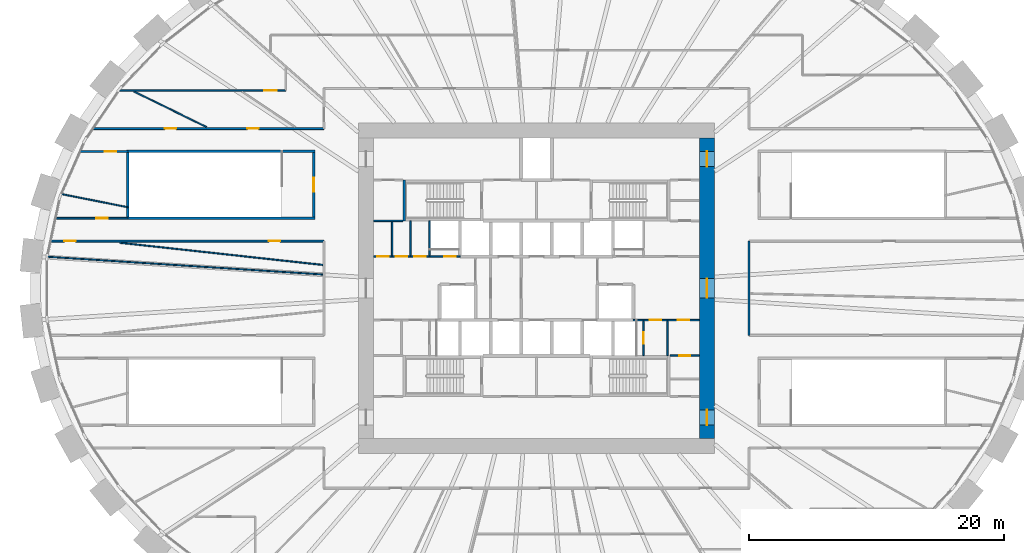
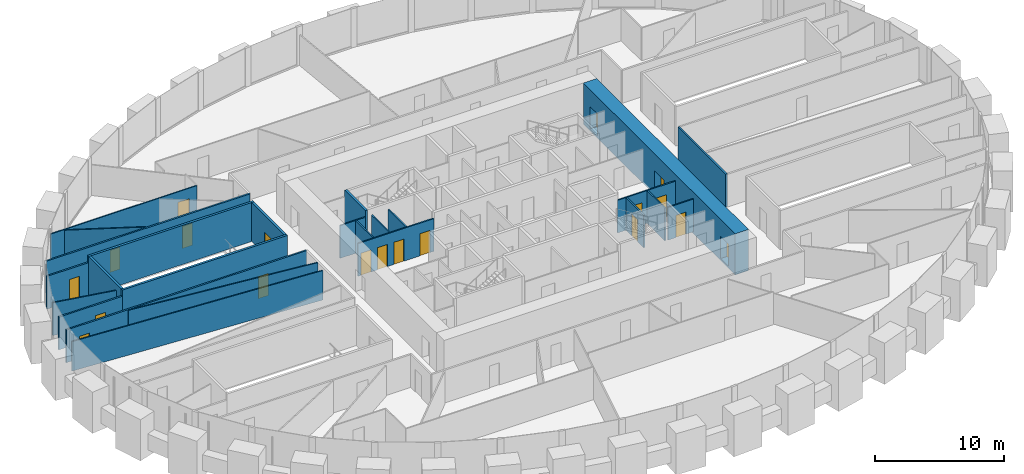
# One storey, part 8 of 12: 25 walls, 19 doors, 19 openings.
"""IFC4 building model written with IfcOpenShell, lengths in metres."""

from ifc_helpers import new_model, si_unit, direction, frame, frame_2d, origin, place, context, subcontext, project, spatial, rectangle, extrude, source, transform, mapped, material, layer, layer_set, type_object, element, fill, save


model = new_model("IFC4")

# Units and contexts
model_context = context("Model", 3, precision=1e-05, world=origin(), true_north=direction((0.0, 1.0)))
body_context = subcontext(model_context, "Body", "Model", "MODEL_VIEW")
ifc_project = project(units=[si_unit("LENGTHUNIT", "METRE"), si_unit("AREAUNIT", "SQUARE_METRE"), si_unit("VOLUMEUNIT", "CUBIC_METRE"), si_unit("PLANEANGLEUNIT", "RADIAN"), si_unit("MASSUNIT", "GRAM", prefix="KILO")], contexts=[model_context])

# Site, building, storey
site_placement = place(None, origin())
site = spatial("IfcSite", under=ifc_project, at=site_placement, CompositionType="ELEMENT")
building_placement = place(site_placement, origin())
building = spatial("IfcBuilding", under=site, at=building_placement, Name="Embergate Tower", CompositionType="ELEMENT")
storey_placement = place(building_placement, frame((0.0, 0.0, 38.0)))
storey = spatial("IfcBuildingStorey", under=building, at=storey_placement, Name="L05", CompositionType="ELEMENT", Elevation=38.0)

# Wall, openings, doors
ifc_material_1 = material(Name="Concrete C80", Category="concrete")
ifc_layer_1 = layer(ifc_material_1, 1.199951171875)
ifc_layer_set_1 = layer_set([ifc_layer_1], Name="Concrete C80")
wall_type_1 = type_object("IfcWallType", Name="Core outer wall C80 1200", PredefinedType="SHEAR", material=ifc_layer_set_1)
shared_shape_1 = source(origin(), body_context, "Body", "SweptSolid", [
    extrude(rectangle(XDim=23.60009765625, YDim=1.199951171875, at=frame_2d((11.800048828125, 0.0))), origin(), (0.0, 0.0, 1.0), 3.89990234375),
])
wall_1_placement = place(storey_placement, frame((13.39990234375, -11.800048828125, -0.199951171875), z_axis=(0.0, 0.0, 1.0), x_axis=(0.0, 1.0, 0.0)))
wall_1 = element("IfcWall", 1, at=wall_1_placement, inside=storey, type_object=wall_type_1, Name="CW-L05-E", PredefinedType="SHEAR", context=body_context, shape_type="MappedRepresentation", body=[
    mapped(shared_shape_1, transform((0.0, 0.0, 0.0))),
])
shared_shape_2 = source(origin(), body_context, "Body", "SweptSolid", [
    extrude(rectangle(XDim=1.199951171875, YDim=2.10009765625, at=frame_2d((0.60009765625, 1.050048828125))), frame((0.0, 0.60986328125, 0.0), z_axis=(0.0, -1.0, 0.0), x_axis=(1.0, 0.0, 0.0)), (0.0, 0.0, 1.0), 1.219970703125),
])
opening_1_placement = place(wall_1_placement, frame((21.35009765625, 0.0, 0.199951171875)))
opening_1 = element("IfcOpeningElement", 2, at=opening_1_placement, cuts=wall_1, Name="Opening IF-1", PredefinedType="OPENING", context=body_context, shape_type="MappedRepresentation", body=[
    mapped(shared_shape_2, transform((0.0, 0.0, 0.0))),
])
opening_2_placement = place(wall_1_placement, frame((1.050048828125, 0.0, 0.199951171875)))
opening_2 = element("IfcOpeningElement", 3, at=opening_2_placement, cuts=wall_1, Name="Opening IF-1", PredefinedType="OPENING", context=body_context, shape_type="MappedRepresentation", body=[
    mapped(shared_shape_2, transform((0.0, 0.0, 0.0))),
])
shared_shape_3 = source(origin(), body_context, "Body", "SweptSolid", [
    extrude(rectangle(XDim=1.5, YDim=2.10009765625, at=frame_2d((0.75, 1.050048828125))), frame((0.0, 0.60986328125, 0.0), z_axis=(0.0, -1.0, 0.0), x_axis=(1.0, 0.0, 0.0)), (0.0, 0.0, 1.0), 1.219970703125),
])
opening_3_placement = place(wall_1_placement, frame((11.050048828125, 0.0, 0.199951171875)))
opening_3 = element("IfcOpeningElement", 4, at=opening_3_placement, cuts=wall_1, Name="Opening IF-3", PredefinedType="OPENING", context=body_context, shape_type="MappedRepresentation", body=[
    mapped(shared_shape_3, transform((0.0, 0.0, 0.0))),
])
ifc_material_2 = material(Name="Escape fire door 1200")
door_type_1 = type_object("IfcDoorType", Name="Escape fire door 1200", OperationType="SINGLE_SWING_LEFT", PredefinedType="DOOR", material=ifc_material_2)
shared_shape_4 = source(origin(), body_context, "Body", "SweptSolid", [
    extrude(rectangle(XDim=1.199951171875, YDim=2.10009765625, at=frame_2d((0.60009765625, 1.050048828125))), frame((0.0, 0.02490234375, 0.0), z_axis=(0.0, -1.0, 0.0), x_axis=(1.0, 0.0, 0.0)), (0.0, 0.0, 1.0), 0.050048828125),
])
door_1_placement = place(opening_1_placement, origin())
door_1 = element("IfcDoor", 5, at=door_1_placement, inside=storey, type_object=door_type_1, Name="IF-1 door", OperationType="SINGLE_SWING_RIGHT", OverallHeight=2.10009765625, OverallWidth=1.199951171875, PredefinedType="DOOR", context=body_context, shape_type="MappedRepresentation", body=[
    mapped(shared_shape_4, transform((0.0, 0.0, 0.0))),
])
fill(opening_1, door_1)
door_2_placement = place(opening_2_placement, origin())
door_2 = element("IfcDoor", 6, at=door_2_placement, inside=storey, type_object=door_type_1, Name="IF-1 door", OperationType="SINGLE_SWING_LEFT", OverallHeight=2.10009765625, OverallWidth=1.199951171875, PredefinedType="DOOR", context=body_context, shape_type="MappedRepresentation", body=[
    mapped(shared_shape_4, transform((0.0, 0.0, 0.0))),
])
fill(opening_2, door_2)
ifc_material_3 = material(Name="Lobby fire door pair 1500")
door_type_2 = type_object("IfcDoorType", Name="Lobby fire door pair 1500", OperationType="DOUBLE_DOOR_SINGLE_SWING", PredefinedType="DOOR", material=ifc_material_3)
shared_shape_5 = source(origin(), body_context, "Body", "SweptSolid", [
    extrude(rectangle(XDim=1.5, YDim=2.10009765625, at=frame_2d((0.75, 1.050048828125))), frame((0.0, 0.02490234375, 0.0), z_axis=(0.0, -1.0, 0.0), x_axis=(1.0, 0.0, 0.0)), (0.0, 0.0, 1.0), 0.050048828125),
])
door_3_placement = place(opening_3_placement, origin())
door_3 = element("IfcDoor", 7, at=door_3_placement, inside=storey, type_object=door_type_2, Name="IF-3 door", OperationType="DOUBLE_DOOR_SINGLE_SWING", OverallHeight=2.10009765625, OverallWidth=1.5, PredefinedType="DOOR", context=body_context, shape_type="MappedRepresentation", body=[
    mapped(shared_shape_5, transform((0.0, 0.0, 0.0))),
])
fill(opening_3, door_3)

ifc_material_4 = material(Name="Corridor wall dry-lined 150")
ifc_layer_2 = layer(ifc_material_4, 0.14990234375)
ifc_layer_set_2 = layer_set([ifc_layer_2], Name="Corridor wall dry-lined 150")
wall_type_2 = type_object("IfcWallType", Name="Corridor wall dry-lined 150", PredefinedType="PARTITIONING", material=ifc_layer_set_2)
shared_shape_6 = source(origin(), body_context, "Body", "SweptSolid", [
    extrude(rectangle(XDim=18.233154296875, YDim=0.14990234375, at=frame_2d((9.11669921875, 0.0))), origin(), (0.0, 0.0, 1.0), 3.10009765625),
])
wall_2_placement = place(storey_placement, frame((-34.93310546875, 12.550048828125, 0.0), z_axis=(0.0, 0.0, 1.0), x_axis=(1.0, 0.0, 0.0)))
wall_2 = element("IfcWall", 8, at=wall_2_placement, inside=storey, type_object=wall_type_2, Name="IP-2 wall", PredefinedType="PARTITIONING", context=body_context, shape_type="MappedRepresentation", body=[
    mapped(shared_shape_6, transform((0.0, 0.0, 0.0))),
])
shared_shape_7 = source(origin(), body_context, "Body", "SweptSolid", [
    extrude(rectangle(XDim=0.89990234375, YDim=2.10009765625, at=frame_2d((0.449951171875, 1.050048828125))), frame((0.0, 0.0849609375, 0.0), z_axis=(0.0, -1.0, 0.0), x_axis=(1.0, 0.0, 0.0)), (0.0, 0.0, 1.0), 0.169921875),
])
opening_4_placement = place(wall_2_placement, frame((12.194580078125, 0.0, 0.0)))
opening_4 = element("IfcOpeningElement", 9, at=opening_4_placement, cuts=wall_2, Name="Opening IF-1c", PredefinedType="OPENING", context=body_context, shape_type="MappedRepresentation", body=[
    mapped(shared_shape_7, transform((0.0, 0.0, 0.0))),
])
opening_5_placement = place(wall_2_placement, frame((5.7255859375, 0.0, 0.0)))
opening_5 = element("IfcOpeningElement", 10, at=opening_5_placement, cuts=wall_2, Name="Opening IF-1c", PredefinedType="OPENING", context=body_context, shape_type="MappedRepresentation", body=[
    mapped(shared_shape_7, transform((0.0, 0.0, 0.0))),
])
ifc_material_5 = material(Name="Escape fire door 900")
door_type_3 = type_object("IfcDoorType", Name="Escape fire door 900", OperationType="SINGLE_SWING_LEFT", PredefinedType="DOOR", material=ifc_material_5)
shared_shape_8 = source(origin(), body_context, "Body", "SweptSolid", [
    extrude(rectangle(XDim=0.89990234375, YDim=2.10009765625, at=frame_2d((0.449951171875, 1.050048828125))), frame((0.0, 0.02490234375, 0.0), z_axis=(0.0, -1.0, 0.0), x_axis=(1.0, 0.0, 0.0)), (0.0, 0.0, 1.0), 0.050048828125),
])
door_4_placement = place(opening_4_placement, origin())
door_4 = element("IfcDoor", 11, at=door_4_placement, inside=storey, type_object=door_type_3, Name="IF-1 door", OperationType="SINGLE_SWING_LEFT", OverallHeight=2.10009765625, OverallWidth=0.89990234375, PredefinedType="DOOR", context=body_context, shape_type="MappedRepresentation", body=[
    mapped(shared_shape_8, transform((0.0, 0.0, 0.0))),
])
fill(opening_4, door_4)
door_5_placement = place(opening_5_placement, origin())
door_5 = element("IfcDoor", 12, at=door_5_placement, inside=storey, type_object=door_type_3, Name="IF-1 door", OperationType="SINGLE_SWING_LEFT", OverallHeight=2.10009765625, OverallWidth=0.89990234375, PredefinedType="DOOR", context=body_context, shape_type="MappedRepresentation", body=[
    mapped(shared_shape_8, transform((0.0, 0.0, 0.0))),
])
fill(opening_5, door_5)

# Wall
shared_shape_9 = source(origin(), body_context, "Body", "SweptSolid", [
    extrude(rectangle(XDim=7.39990234375, YDim=0.14990234375, at=frame_2d((3.699951171875, 0.0))), origin(), (0.0, 0.0, 1.0), 3.10009765625),
])
wall_3_placement = place(storey_placement, frame((16.699951171875, 3.699951171875, 0.0), z_axis=(0.0, 0.0, 1.0), x_axis=(0.0, -1.0, 0.0)))
element("IfcWall", 13, at=wall_3_placement, inside=storey, type_object=wall_type_2, Name="IP-2 wall", PredefinedType="PARTITIONING", context=body_context, shape_type="MappedRepresentation", body=[
    mapped(shared_shape_9, transform((0.0, 0.0, 0.0))),
])

# Wall, openings, doors
shared_shape_10 = source(origin(), body_context, "Body", "SweptSolid", [
    extrude(rectangle(XDim=21.578125, YDim=0.14990234375, at=frame_2d((10.7890625, 0.0))), origin(), (0.0, 0.0, 1.0), 3.10009765625),
])
wall_4_placement = place(storey_placement, frame((-16.699951171875, 3.699951171875, 0.0), z_axis=(0.0, 0.0, 1.0), x_axis=(-1.0, 0.0, 0.0)))
wall_4 = element("IfcWall", 14, at=wall_4_placement, inside=storey, type_object=wall_type_2, Name="IP-2 wall", PredefinedType="PARTITIONING", context=body_context, shape_type="MappedRepresentation", body=[
    mapped(shared_shape_10, transform((0.0, 0.0, 0.0))),
])
opening_6_placement = place(wall_4_placement, frame((3.43896484375, 0.0, 0.0)))
opening_6 = element("IfcOpeningElement", 15, at=opening_6_placement, cuts=wall_4, Name="Opening IF-1c", PredefinedType="OPENING", context=body_context, shape_type="MappedRepresentation", body=[
    mapped(shared_shape_7, transform((0.0, 0.0, 0.0))),
])
opening_7_placement = place(wall_4_placement, frame((19.512939453125, 0.0, 0.0)))
opening_7 = element("IfcOpeningElement", 16, at=opening_7_placement, cuts=wall_4, Name="Opening IF-1c", PredefinedType="OPENING", context=body_context, shape_type="MappedRepresentation", body=[
    mapped(shared_shape_7, transform((0.0, 0.0, 0.0))),
])
door_6_placement = place(opening_6_placement, origin())
door_6 = element("IfcDoor", 17, at=door_6_placement, inside=storey, type_object=door_type_3, Name="IF-1 door", OperationType="SINGLE_SWING_LEFT", OverallHeight=2.10009765625, OverallWidth=0.89990234375, PredefinedType="DOOR", context=body_context, shape_type="MappedRepresentation", body=[
    mapped(shared_shape_8, transform((0.0, 0.0, 0.0))),
])
fill(opening_6, door_6)
door_7_placement = place(opening_7_placement, origin())
door_7 = element("IfcDoor", 18, at=door_7_placement, inside=storey, type_object=door_type_3, Name="IF-1 door", OperationType="SINGLE_SWING_LEFT", OverallHeight=2.10009765625, OverallWidth=0.89990234375, PredefinedType="DOOR", context=body_context, shape_type="MappedRepresentation", body=[
    mapped(shared_shape_8, transform((0.0, 0.0, 0.0))),
])
fill(opening_7, door_7)

# Wall, opening, door
shared_shape_11 = source(origin(), body_context, "Body", "SweptSolid", [
    extrude(rectangle(XDim=5.79296875, YDim=0.14990234375, at=frame_2d((2.896484375, 0.0))), origin(), (0.0, 0.0, 1.0), 3.10009765625),
])
wall_5_placement = place(storey_placement, frame((-37.9130859375, 5.5, 0.0), z_axis=(0.0, 0.0, 1.0), x_axis=(1.0, 0.0, 0.0)))
wall_5 = element("IfcWall", 19, at=wall_5_placement, inside=storey, type_object=wall_type_2, Name="IP-2 wall", PredefinedType="PARTITIONING", context=body_context, shape_type="MappedRepresentation", body=[
    mapped(shared_shape_11, transform((0.0, 0.0, 0.0))),
])
opening_8_placement = place(wall_5_placement, frame((3.305419921875, 0.0, 0.0)))
opening_8 = element("IfcOpeningElement", 20, at=opening_8_placement, cuts=wall_5, Name="Opening IF-1c", PredefinedType="OPENING", context=body_context, shape_type="MappedRepresentation", body=[
    mapped(shared_shape_7, transform((0.0, 0.0, 0.0))),
])
door_8_placement = place(opening_8_placement, origin())
door_8 = element("IfcDoor", 21, at=door_8_placement, inside=storey, type_object=door_type_3, Name="IF-1 door", OperationType="SINGLE_SWING_RIGHT", OverallHeight=2.10009765625, OverallWidth=0.89990234375, PredefinedType="DOOR", context=body_context, shape_type="MappedRepresentation", body=[
    mapped(shared_shape_8, transform((0.0, 0.0, 0.0))),
])
fill(opening_8, door_8)

shared_shape_12 = source(origin(), body_context, "Body", "SweptSolid", [
    extrude(rectangle(XDim=3.81787109375, YDim=0.14990234375, at=frame_2d((1.908935546875, 0.0))), origin(), (0.0, 0.0, 1.0), 3.10009765625),
])
wall_6_placement = place(storey_placement, frame((-32.1201171875, 10.75, 0.0), z_axis=(0.0, 0.0, 1.0), x_axis=(-1.0, 0.0, 0.0)))
wall_6 = element("IfcWall", 22, at=wall_6_placement, inside=storey, type_object=wall_type_2, Name="IP-2 wall", PredefinedType="PARTITIONING", context=body_context, shape_type="MappedRepresentation", body=[
    mapped(shared_shape_12, transform((0.0, 0.0, 0.0))),
])
opening_9_placement = place(wall_6_placement, frame((0.903076171875, 0.0, 0.0)))
opening_9 = element("IfcOpeningElement", 23, at=opening_9_placement, cuts=wall_6, Name="Opening IF-1c", PredefinedType="OPENING", context=body_context, shape_type="MappedRepresentation", body=[
    mapped(shared_shape_7, transform((0.0, 0.0, 0.0))),
])
door_9_placement = place(opening_9_placement, origin())
door_9 = element("IfcDoor", 24, at=door_9_placement, inside=storey, type_object=door_type_3, Name="IF-1 door", OperationType="SINGLE_SWING_RIGHT", OverallHeight=2.10009765625, OverallWidth=0.89990234375, PredefinedType="DOOR", context=body_context, shape_type="MappedRepresentation", body=[
    mapped(shared_shape_8, transform((0.0, 0.0, 0.0))),
])
fill(opening_9, door_9)

# Walls
ifc_material_6 = material(Name="Partition dry-lined 100")
ifc_layer_3 = layer(ifc_material_6, 0.10009765625)
ifc_layer_set_3 = layer_set([ifc_layer_3], Name="Partition dry-lined 100")
wall_type_3 = type_object("IfcWallType", Name="Partition dry-lined 100", PredefinedType="PARTITIONING", material=ifc_layer_set_3)
shared_shape_13 = source(origin(), body_context, "Body", "SweptSolid", [
    extrude(rectangle(XDim=16.065673828125, YDim=0.10009765625, at=frame_2d((8.03271484375, 0.0))), origin(), (0.0, 0.0, 1.0), 3.10009765625),
])
wall_7_placement = place(storey_placement, frame((-16.780029296875, 1.83203125, 0.0), z_axis=(0.0, 0.0, 1.0), x_axis=(-0.994097916303, 0.108486555857, 0.0)))
element("IfcWall", 25, at=wall_7_placement, inside=storey, type_object=wall_type_3, Name="IP-1 wall", PredefinedType="PARTITIONING", context=body_context, shape_type="MappedRepresentation", body=[
    mapped(shared_shape_13, transform((0.0, 0.0, 0.0))),
])
shared_shape_14 = source(origin(), body_context, "Body", "SweptSolid", [
    extrude(rectangle(XDim=21.722900390625, YDim=0.10009765625, at=frame_2d((10.861328125, 0.0))), origin(), (0.0, 0.0, 1.0), 2.800048828125),
])
wall_8_placement = place(storey_placement, frame((-16.77490234375, 1.080078125, 0.0), z_axis=(0.0, 0.0, 1.0), x_axis=(-0.997930058008, 0.064308625589, 0.0)))
element("IfcWall", 26, at=wall_8_placement, inside=storey, type_object=wall_type_3, Name="IP-1 wall", PredefinedType="PARTITIONING", context=body_context, shape_type="MappedRepresentation", body=[
    mapped(shared_shape_14, transform((0.0, 0.0, 0.0))),
])
shared_shape_15 = source(origin(), body_context, "Body", "SweptSolid", [
    extrude(rectangle(XDim=5.3349609375, YDim=0.10009765625, at=frame_2d((2.66748046875, 0.0))), origin(), (0.0, 0.0, 1.0), 3.10009765625),
])
wall_9_placement = place(storey_placement, frame((-32.1201171875, 6.368896484375, 0.0), z_axis=(0.0, 0.0, 1.0), x_axis=(-0.980885740603, 0.194584593125, 0.0)))
element("IfcWall", 27, at=wall_9_placement, inside=storey, type_object=wall_type_3, Name="IP-1 wall", PredefinedType="PARTITIONING", context=body_context, shape_type="MappedRepresentation", body=[
    mapped(shared_shape_15, transform((0.0, 0.0, 0.0))),
])

# Wall, opening, door
shared_shape_16 = source(origin(), body_context, "Body", "SweptSolid", [
    extrude(rectangle(XDim=13.125, YDim=0.10009765625, at=frame_2d((6.5625, 0.0))), origin(), (0.0, 0.0, 1.0), 3.10009765625),
])
wall_10_placement = place(storey_placement, frame((-32.824951171875, 15.550048828125, 0.0), z_axis=(0.0, 0.0, 1.0), x_axis=(1.0, 0.0, 0.0)))
wall_10 = element("IfcWall", 28, at=wall_10_placement, inside=storey, type_object=wall_type_3, Name="IP-1 wall", PredefinedType="PARTITIONING", context=body_context, shape_type="MappedRepresentation", body=[
    mapped(shared_shape_16, transform((0.0, 0.0, 0.0))),
])
shared_shape_17 = source(origin(), body_context, "Body", "SweptSolid", [
    extrude(rectangle(XDim=1.0, YDim=2.10009765625, at=frame_2d((0.5, 1.050048828125))), frame((0.0, 0.06005859375, 0.0), z_axis=(0.0, -1.0, 0.0), x_axis=(1.0, 0.0, 0.0)), (0.0, 0.0, 1.0), 0.1201171875),
])
opening_10_placement = place(wall_10_placement, frame((11.429443359375, 0.0, 0.0)))
opening_10 = element("IfcOpeningElement", 29, at=opening_10_placement, cuts=wall_10, Name="Opening ID-2", PredefinedType="OPENING", context=body_context, shape_type="MappedRepresentation", body=[
    mapped(shared_shape_17, transform((0.0, 0.0, 0.0))),
])
ifc_material_7 = material(Name="Interior door 1000")
door_type_4 = type_object("IfcDoorType", Name="Interior door 1000", OperationType="SINGLE_SWING_LEFT", PredefinedType="DOOR", material=ifc_material_7)
shared_shape_18 = source(origin(), body_context, "Body", "SweptSolid", [
    extrude(rectangle(XDim=1.0, YDim=2.10009765625, at=frame_2d((0.5, 1.050048828125))), frame((0.0, 0.02490234375, 0.0), z_axis=(0.0, -1.0, 0.0), x_axis=(1.0, 0.0, 0.0)), (0.0, 0.0, 1.0), 0.050048828125),
])
door_10_placement = place(opening_10_placement, origin())
door_10 = element("IfcDoor", 30, at=door_10_placement, inside=storey, type_object=door_type_4, Name="ID-2 door", OperationType="SINGLE_SWING_LEFT", OverallHeight=2.10009765625, OverallWidth=1.0, PredefinedType="DOOR", context=body_context, shape_type="MappedRepresentation", body=[
    mapped(shared_shape_18, transform((0.0, 0.0, 0.0))),
])
fill(opening_10, door_10)

# Wall
shared_shape_19 = source(origin(), body_context, "Body", "SweptSolid", [
    extrude(rectangle(XDim=6.343994140625, YDim=0.10009765625, at=frame_2d((3.171875, 0.0))), origin(), (0.0, 0.0, 1.0), 3.10009765625),
])
wall_11_placement = place(storey_placement, frame((-25.927001953125, 12.669921875, 0.0), z_axis=(0.0, 0.0, 1.0), x_axis=(-0.898476799837, 0.439021001951, 0.0)))
element("IfcWall", 31, at=wall_11_placement, inside=storey, type_object=wall_type_3, Name="IP-1 wall", PredefinedType="PARTITIONING", context=body_context, shape_type="MappedRepresentation", body=[
    mapped(shared_shape_19, transform((0.0, 0.0, 0.0))),
])

# Wall, openings, doors
ifc_material_8 = material(Name="Core partition blockwork 120")
ifc_layer_4 = layer(ifc_material_8, 0.1201171875)
ifc_layer_set_4 = layer_set([ifc_layer_4], Name="Core partition blockwork 120")
wall_type_4 = type_object("IfcWallType", Name="Core partition blockwork 120", PredefinedType="PARTITIONING", material=ifc_layer_set_4)
shared_shape_20 = source(origin(), body_context, "Body", "SweptSolid", [
    extrude(rectangle(XDim=6.800048828125, YDim=0.1201171875, at=frame_2d((3.39990234375, 0.0))), origin(), (0.0, 0.0, 1.0), 3.10009765625),
])
wall_12_placement = place(storey_placement, frame((-12.800048828125, 2.5, 0.0), z_axis=(0.0, 0.0, 1.0), x_axis=(1.0, 0.0, 0.0)))
wall_12 = element("IfcWall", 32, at=wall_12_placement, inside=storey, type_object=wall_type_4, Name="IP-3 wall", PredefinedType="PARTITIONING", context=body_context, shape_type="MappedRepresentation", body=[
    mapped(shared_shape_20, transform((0.0, 0.0, 0.0))),
])
shared_shape_21 = source(origin(), body_context, "Body", "SweptSolid", [
    extrude(rectangle(XDim=0.89990234375, YDim=2.10009765625, at=frame_2d((0.449951171875, 1.050048828125))), frame((0.0, 0.070068359375, 0.0), z_axis=(0.0, -1.0, 0.0), x_axis=(1.0, 0.0, 0.0)), (0.0, 0.0, 1.0), 0.14013671875),
])
opening_11_placement = place(wall_12_placement, frame((5.550048828125, 0.0, 0.0)))
opening_11 = element("IfcOpeningElement", 33, at=opening_11_placement, cuts=wall_12, Name="Opening ID-1", PredefinedType="OPENING", context=body_context, shape_type="MappedRepresentation", body=[
    mapped(shared_shape_21, transform((0.0, 0.0, 0.0))),
])
opening_12_placement = place(wall_12_placement, frame((0.27587890625, 0.0, 0.0)))
opening_12 = element("IfcOpeningElement", 34, at=opening_12_placement, cuts=wall_12, Name="Opening ID-1", PredefinedType="OPENING", context=body_context, shape_type="MappedRepresentation", body=[
    mapped(shared_shape_21, transform((0.0, 0.0, 0.0))),
])
opening_13_placement = place(wall_12_placement, frame((1.72802734375, 0.0, 0.0)))
opening_13 = element("IfcOpeningElement", 35, at=opening_13_placement, cuts=wall_12, Name="Opening ID-1", PredefinedType="OPENING", context=body_context, shape_type="MappedRepresentation", body=[
    mapped(shared_shape_21, transform((0.0, 0.0, 0.0))),
])
opening_14_placement = place(wall_12_placement, frame((3.201904296875, 0.0, 0.0)))
opening_14 = element("IfcOpeningElement", 36, at=opening_14_placement, cuts=wall_12, Name="Opening ID-1", PredefinedType="OPENING", context=body_context, shape_type="MappedRepresentation", body=[
    mapped(shared_shape_21, transform((0.0, 0.0, 0.0))),
])
ifc_material_9 = material(Name="Interior door 900")
door_type_5 = type_object("IfcDoorType", Name="Interior door 900", OperationType="SINGLE_SWING_LEFT", PredefinedType="DOOR", material=ifc_material_9)
door_11_placement = place(opening_11_placement, origin())
door_11 = element("IfcDoor", 37, at=door_11_placement, inside=storey, type_object=door_type_5, Name="ID-1 door", OperationType="SINGLE_SWING_LEFT", OverallHeight=2.10009765625, OverallWidth=0.89990234375, PredefinedType="DOOR", context=body_context, shape_type="MappedRepresentation", body=[
    mapped(shared_shape_8, transform((0.0, 0.0, 0.0))),
])
fill(opening_11, door_11)
door_12_placement = place(opening_12_placement, origin())
door_12 = element("IfcDoor", 38, at=door_12_placement, inside=storey, type_object=door_type_5, Name="ID-1 door", OperationType="SINGLE_SWING_RIGHT", OverallHeight=2.10009765625, OverallWidth=0.89990234375, PredefinedType="DOOR", context=body_context, shape_type="MappedRepresentation", body=[
    mapped(shared_shape_8, transform((0.0, 0.0, 0.0))),
])
fill(opening_12, door_12)
door_13_placement = place(opening_13_placement, origin())
door_13 = element("IfcDoor", 39, at=door_13_placement, inside=storey, type_object=door_type_5, Name="ID-1 door", OperationType="SINGLE_SWING_RIGHT", OverallHeight=2.10009765625, OverallWidth=0.89990234375, PredefinedType="DOOR", context=body_context, shape_type="MappedRepresentation", body=[
    mapped(shared_shape_8, transform((0.0, 0.0, 0.0))),
])
fill(opening_13, door_13)
door_14_placement = place(opening_14_placement, origin())
door_14 = element("IfcDoor", 40, at=door_14_placement, inside=storey, type_object=door_type_5, Name="ID-1 door", OperationType="SINGLE_SWING_LEFT", OverallHeight=2.10009765625, OverallWidth=0.89990234375, PredefinedType="DOOR", context=body_context, shape_type="MappedRepresentation", body=[
    mapped(shared_shape_8, transform((0.0, 0.0, 0.0))),
])
fill(opening_14, door_14)

# Wall
shared_shape_22 = source(origin(), body_context, "Body", "SweptSolid", [
    extrude(rectangle(XDim=2.739990234375, YDim=0.1201171875, at=frame_2d((1.3701171875, 0.0))), origin(), (0.0, 0.0, 1.0), 3.10009765625),
])
wall_13_placement = place(storey_placement, frame((-8.39990234375, 5.300048828125, 0.0), z_axis=(0.0, 0.0, 1.0), x_axis=(0.0, -1.0, 0.0)))
element("IfcWall", 41, at=wall_13_placement, inside=storey, type_object=wall_type_4, Name="IP-3 wall", PredefinedType="PARTITIONING", context=body_context, shape_type="MappedRepresentation", body=[
    mapped(shared_shape_22, transform((0.0, 0.0, 0.0))),
])

# Wall, opening, door
wall_14_placement = place(storey_placement, frame((8.39990234375, -5.300048828125, 0.0), z_axis=(0.0, 0.0, 1.0), x_axis=(0.0, 1.0, 0.0)))
wall_14 = element("IfcWall", 42, at=wall_14_placement, inside=storey, type_object=wall_type_4, Name="IP-3 wall", PredefinedType="PARTITIONING", context=body_context, shape_type="MappedRepresentation", body=[
    mapped(shared_shape_22, transform((0.0, 0.0, 0.0))),
])
opening_15_placement = place(wall_14_placement, frame((0.949951171875, 0.0, 0.0)))
opening_15 = element("IfcOpeningElement", 43, at=opening_15_placement, cuts=wall_14, Name="Opening ID-1", PredefinedType="OPENING", context=body_context, shape_type="MappedRepresentation", body=[
    mapped(shared_shape_21, transform((0.0, 0.0, 0.0))),
])
door_15_placement = place(opening_15_placement, origin())
door_15 = element("IfcDoor", 44, at=door_15_placement, inside=storey, type_object=door_type_5, Name="ID-1 door", OperationType="SINGLE_SWING_LEFT", OverallHeight=2.10009765625, OverallWidth=0.89990234375, PredefinedType="DOOR", context=body_context, shape_type="MappedRepresentation", body=[
    mapped(shared_shape_8, transform((0.0, 0.0, 0.0))),
])
fill(opening_15, door_15)

# Walls
for number, where, z_axis, x_axis, name in (
    (45, (-9.89599609375, 2.56005859375, 0.0), (0.0, 0.0, 1.0), (0.0, 1.0, 0.0), "IP-3 wall"),
    (46, (10.2919921875, -5.300048828125, 0.0), (0.0, 0.0, 1.0), (0.0, 1.0, 0.0), "IP-3 wall"),
):
    element("IfcWall", number, at=place(storey_placement, frame(where, z_axis=z_axis, x_axis=x_axis)), inside=storey, type_object=wall_type_4, Name=name, PredefinedType="PARTITIONING", context=body_context, shape_type="MappedRepresentation", body=[
        mapped(shared_shape_22, transform((0.0, 0.0, 0.0))),
    ])

# Wall, openings, doors
shared_shape_23 = source(origin(), body_context, "Body", "SweptSolid", [
    extrude(rectangle(XDim=5.199951171875, YDim=0.1201171875, at=frame_2d((2.60009765625, 0.0))), origin(), (0.0, 0.0, 1.0), 3.10009765625),
])
wall_15_placement = place(storey_placement, frame((12.800048828125, -2.5, 0.0), z_axis=(0.0, 0.0, 1.0), x_axis=(-1.0, 0.0, 0.0)))
wall_15 = element("IfcWall", 47, at=wall_15_placement, inside=storey, type_object=wall_type_4, Name="IP-3 wall", PredefinedType="PARTITIONING", context=body_context, shape_type="MappedRepresentation", body=[
    mapped(shared_shape_23, transform((0.0, 0.0, 0.0))),
])
opening_16_placement = place(wall_15_placement, frame((3.00390625, 0.0, 0.0)))
opening_16 = element("IfcOpeningElement", 48, at=opening_16_placement, cuts=wall_15, Name="Opening ID-1", PredefinedType="OPENING", context=body_context, shape_type="MappedRepresentation", body=[
    mapped(shared_shape_21, transform((0.0, 0.0, 0.0))),
])
opening_17_placement = place(wall_15_placement, frame((0.803955078125, 0.0, 0.0)))
opening_17 = element("IfcOpeningElement", 49, at=opening_17_placement, cuts=wall_15, Name="Opening ID-1", PredefinedType="OPENING", context=body_context, shape_type="MappedRepresentation", body=[
    mapped(shared_shape_21, transform((0.0, 0.0, 0.0))),
])
door_16_placement = place(opening_16_placement, origin())
door_16 = element("IfcDoor", 50, at=door_16_placement, inside=storey, type_object=door_type_5, Name="ID-1 door", OperationType="SINGLE_SWING_RIGHT", OverallHeight=2.10009765625, OverallWidth=0.89990234375, PredefinedType="DOOR", context=body_context, shape_type="MappedRepresentation", body=[
    mapped(shared_shape_8, transform((0.0, 0.0, 0.0))),
])
fill(opening_16, door_16)
door_17_placement = place(opening_17_placement, origin())
door_17 = element("IfcDoor", 51, at=door_17_placement, inside=storey, type_object=door_type_5, Name="ID-1 door", OperationType="SINGLE_SWING_RIGHT", OverallHeight=2.10009765625, OverallWidth=0.89990234375, PredefinedType="DOOR", context=body_context, shape_type="MappedRepresentation", body=[
    mapped(shared_shape_8, transform((0.0, 0.0, 0.0))),
])
fill(opening_17, door_17)

# Walls
ifc_material_10 = material(Name="Concrete C50", Category="concrete")
ifc_layer_5 = layer(ifc_material_10, 0.199951171875)
ifc_layer_set_5 = layer_set([ifc_layer_5], Name="Concrete C50")
wall_type_5 = type_object("IfcWallType", Name="Stair enclosure wall reinforced concrete 250", PredefinedType="SHEAR", material=ifc_layer_set_5)
shared_shape_24 = source(origin(), body_context, "Body", "SweptSolid", [
    extrude(rectangle(XDim=3.199951171875, YDim=0.199951171875, at=frame_2d((1.60009765625, 0.0))), origin(), (0.0, 0.0, 1.0), 3.699951171875),
])
wall_16_placement = place(storey_placement, frame((-10.39990234375, 8.5, 0.0), z_axis=(0.0, 0.0, 1.0), x_axis=(0.0, -1.0, 0.0)))
element("IfcWall", 52, at=wall_16_placement, inside=storey, type_object=wall_type_5, Name="SE-1 wall", PredefinedType="SHEAR", context=body_context, shape_type="MappedRepresentation", body=[
    mapped(shared_shape_24, transform((0.0, 0.0, 0.0))),
])
shared_shape_25 = source(origin(), body_context, "Body", "SweptSolid", [
    extrude(rectangle(XDim=2.300048828125, YDim=0.1201171875, at=frame_2d((1.14990234375, 0.0))), origin(), (0.0, 0.0, 1.0), 3.10009765625),
])
wall_17_placement = place(storey_placement, frame((-10.5, 5.300048828125, 0.0), z_axis=(0.0, 0.0, 1.0), x_axis=(-1.0, 0.0, 0.0)))
element("IfcWall", 53, at=wall_17_placement, inside=storey, type_object=wall_type_4, Name="IP-3 wall", PredefinedType="PARTITIONING", context=body_context, shape_type="MappedRepresentation", body=[
    mapped(shared_shape_25, transform((0.0, 0.0, 0.0))),
])

# Wall, opening, door
wall_18_placement = place(storey_placement, frame((10.5, -5.300048828125, 0.0), z_axis=(0.0, 0.0, 1.0), x_axis=(1.0, 0.0, 0.0)))
wall_18 = element("IfcWall", 54, at=wall_18_placement, inside=storey, type_object=wall_type_4, Name="IP-3 wall", PredefinedType="PARTITIONING", context=body_context, shape_type="MappedRepresentation", body=[
    mapped(shared_shape_25, transform((0.0, 0.0, 0.0))),
])
opening_18_placement = place(wall_18_placement, frame((0.699951171875, 0.0, 0.0)))
opening_18 = element("IfcOpeningElement", 55, at=opening_18_placement, cuts=wall_18, Name="Opening ID-1", PredefinedType="OPENING", context=body_context, shape_type="MappedRepresentation", body=[
    mapped(shared_shape_21, transform((0.0, 0.0, 0.0))),
])
door_18_placement = place(opening_18_placement, origin())
door_18 = element("IfcDoor", 56, at=door_18_placement, inside=storey, type_object=door_type_5, Name="ID-1 door", OperationType="SINGLE_SWING_LEFT", OverallHeight=2.10009765625, OverallWidth=0.89990234375, PredefinedType="DOOR", context=body_context, shape_type="MappedRepresentation", body=[
    mapped(shared_shape_8, transform((0.0, 0.0, 0.0))),
])
fill(opening_18, door_18)

# Walls
shared_shape_26 = source(origin(), body_context, "Body", "SweptSolid", [
    extrude(rectangle(XDim=2.679931640625, YDim=0.1201171875, at=frame_2d((1.33984375, 0.0))), origin(), (0.0, 0.0, 1.0), 3.10009765625),
])
wall_19_placement = place(storey_placement, frame((-11.347900390625, 2.56005859375, 0.0), z_axis=(0.0, 0.0, 1.0), x_axis=(0.0, 1.0, 0.0)))
element("IfcWall", 57, at=wall_19_placement, inside=storey, type_object=wall_type_4, Name="IP-3 wall", PredefinedType="PARTITIONING", context=body_context, shape_type="MappedRepresentation", body=[
    mapped(shared_shape_26, transform((0.0, 0.0, 0.0))),
])
ifc_material_11 = material(Name="Concrete C40", Category="concrete")
ifc_layer_6 = layer(ifc_material_11, 0.199951171875)
ifc_layer_set_6 = layer_set([ifc_layer_6], Name="Concrete C40")
wall_type_6 = type_object("IfcWallType", Name="Stair enclosure wall RC 200", PredefinedType="STANDARD", material=ifc_layer_set_6)
shared_shape_27 = source(origin(), body_context, "Body", "SweptSolid", [
    extrude(rectangle(XDim=5.0498046875, YDim=0.199951171875, at=frame_2d((2.52490234375, 0.0))), origin(), (0.0, 0.0, 1.0), 3.699951171875),
])
wall_20_placement = place(storey_placement, frame((-32.1201171875, 5.60009765625, 0.0), z_axis=(0.0, 0.0, 1.0), x_axis=(0.0, 1.0, 0.0)))
element("IfcWall", 58, at=wall_20_placement, inside=storey, type_object=wall_type_6, Name="Stair wall 003", PredefinedType="STANDARD", context=body_context, shape_type="MappedRepresentation", body=[
    mapped(shared_shape_27, transform((0.0, 0.0, 0.0))),
])

# Wall, opening, door
wall_21_placement = place(storey_placement, frame((-17.5, 10.64990234375, 0.0), z_axis=(0.0, 0.0, 1.0), x_axis=(0.0, -1.0, 0.0)))
wall_21 = element("IfcWall", 59, at=wall_21_placement, inside=storey, type_object=wall_type_6, Name="Stair wall 008", PredefinedType="STANDARD", context=body_context, shape_type="MappedRepresentation", body=[
    mapped(shared_shape_27, transform((0.0, 0.0, 0.0))),
])
shared_shape_28 = source(origin(), body_context, "Body", "SweptSolid", [
    extrude(rectangle(XDim=1.10009765625, YDim=2.10009765625, at=frame_2d((0.550048828125, 1.050048828125))), frame((0.0, 0.10986328125, 0.0), z_axis=(0.0, -1.0, 0.0), x_axis=(1.0, 0.0, 0.0)), (0.0, 0.0, 1.0), 0.219970703125),
])
opening_19_placement = place(wall_21_placement, frame((1.97509765625, 0.0, 0.0)))
opening_19 = element("IfcOpeningElement", 60, at=opening_19_placement, cuts=wall_21, Name="Opening DS-344", PredefinedType="OPENING", context=body_context, shape_type="MappedRepresentation", body=[
    mapped(shared_shape_28, transform((0.0, 0.0, 0.0))),
])
ifc_material_12 = material(Name="Steel fire door leaf", Category="steel")
door_type_6 = type_object("IfcDoorType", Name="Fire door class B 1100x2100", OperationType="SINGLE_SWING_LEFT", PredefinedType="DOOR", material=ifc_material_12)
shared_shape_29 = source(origin(), body_context, "Body", "SweptSolid", [
    extrude(rectangle(XDim=1.10009765625, YDim=2.10009765625, at=frame_2d((0.550048828125, 1.050048828125))), frame((0.0, 0.02490234375, 0.0), z_axis=(0.0, -1.0, 0.0), x_axis=(1.0, 0.0, 0.0)), (0.0, 0.0, 1.0), 0.050048828125),
])
door_19_placement = place(opening_19_placement, origin())
door_19 = element("IfcDoor", 61, at=door_19_placement, inside=storey, type_object=door_type_6, Name="Door to Exit stair enclosure", OperationType="SINGLE_SWING_LEFT", OverallHeight=2.10009765625, OverallWidth=1.10009765625, PredefinedType="DOOR", context=body_context, shape_type="MappedRepresentation", body=[
    mapped(shared_shape_29, transform((0.0, 0.0, 0.0))),
])
fill(opening_19, door_19)

# Walls
shared_shape_30 = source(origin(), body_context, "Body", "SweptSolid", [
    extrude(rectangle(XDim=14.820068359375, YDim=0.199951171875, at=frame_2d((7.41015625, 0.0))), origin(), (0.0, 0.0, 1.0), 3.699951171875),
])
for number, where, z_axis, x_axis, name in (
    (62, (-32.219970703125, 10.75, 0.0), (0.0, 0.0, 1.0), (1.0, 0.0, 0.0), "Stair wall 004"),
    (63, (-17.39990234375, 5.5, 0.0), (0.0, 0.0, 1.0), (-1.0, 0.0, 0.0), "Stair wall 007"),
):
    element("IfcWall", number, at=place(storey_placement, frame(where, z_axis=z_axis, x_axis=x_axis)), inside=storey, type_object=wall_type_6, Name=name, PredefinedType="STANDARD", context=body_context, shape_type="MappedRepresentation", body=[
        mapped(shared_shape_30, transform((0.0, 0.0, 0.0))),
    ])

save(model, "model.ifc")
